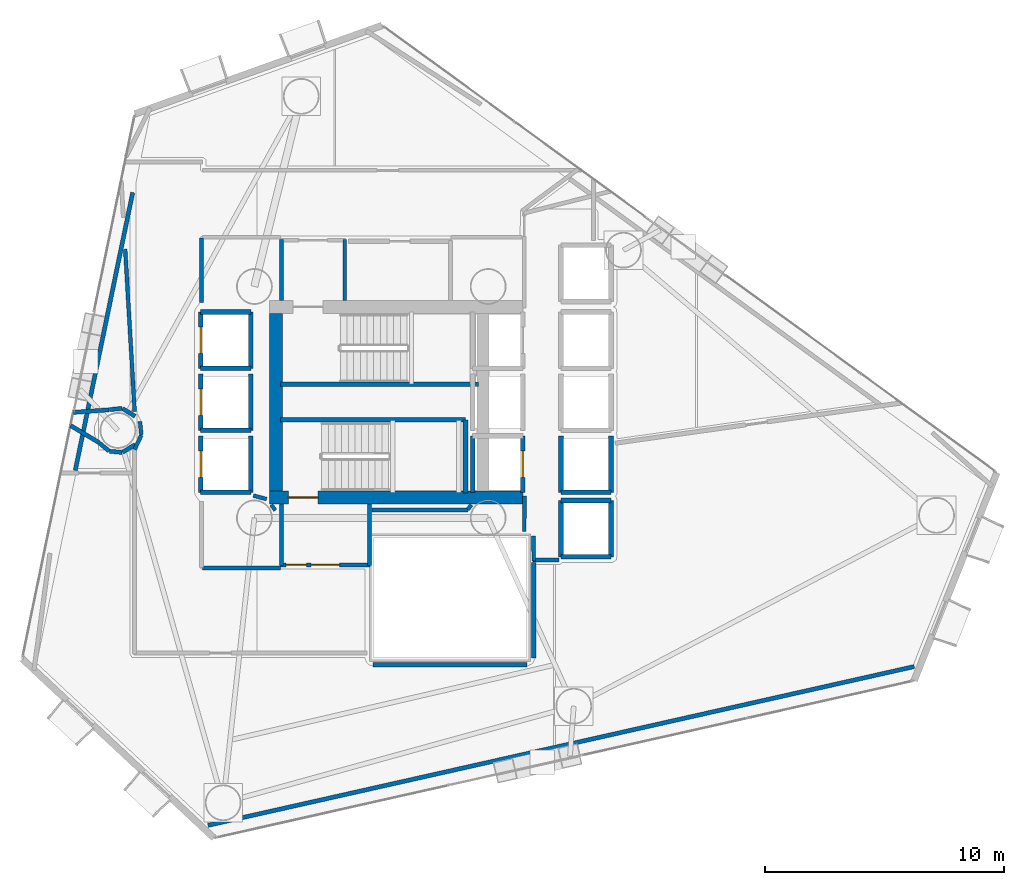
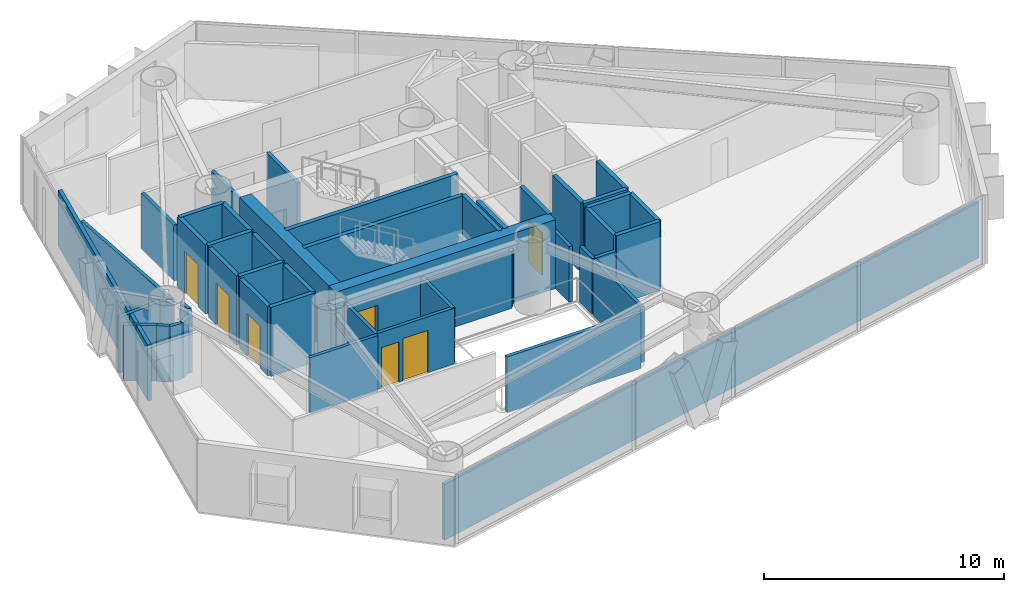
# One storey, part 13 of 18: 52 walls, 7 doors, 7 openings.
"""IFC4 building model written with IfcOpenShell, lengths in metres."""

from ifc_helpers import new_model, si_unit, direction, frame, frame_2d, origin, place, context, subcontext, project, spatial, rectangle, extrude, material, layer, layer_set, type_object, element, fill, save


model = new_model("IFC4")

# Units and contexts
model_context = context("Model", 3, precision=1e-05, world=origin(), true_north=direction((0.0, 1.0)))
body_context = subcontext(model_context, "Body", "Model", "MODEL_VIEW")
ifc_project = project(units=[si_unit("LENGTHUNIT", "METRE"), si_unit("AREAUNIT", "SQUARE_METRE"), si_unit("VOLUMEUNIT", "CUBIC_METRE"), si_unit("PLANEANGLEUNIT", "RADIAN"), si_unit("MASSUNIT", "GRAM", prefix="KILO")], contexts=[model_context])

# Site, building, storey
site_placement = place(None, origin())
site = spatial("IfcSite", under=ifc_project, at=site_placement, CompositionType="ELEMENT")
building_placement = place(site_placement, origin())
building = spatial("IfcBuilding", under=site, at=building_placement, Name="Qianvela Tower", CompositionType="ELEMENT")
storey_placement = place(building_placement, frame((0.0, 0.0, 97.800048828125)))
storey = spatial("IfcBuildingStorey", under=building, at=storey_placement, Name="L24", CompositionType="ELEMENT", Elevation=97.800048828125)

# Wall, opening, door
ifc_material_1 = material(Name="Concrete C60", Category="concrete")
ifc_layer_1 = layer(ifc_material_1, 0.550048828125)
ifc_layer_set_1 = layer_set([ifc_layer_1], Name="Concrete C60")
wall_type_1 = type_object("IfcWallType", Name="WT-CORE-550", PredefinedType="SHEAR", material=ifc_layer_set_1)
wall_1_placement = place(storey_placement, frame((29.22998046875, 24.705078125, 0.0), z_axis=(0.0, 0.0, 1.0), x_axis=(1.0, 0.0, 0.0)))
wall_1 = element("IfcWall", 1, at=wall_1_placement, inside=storey, type_object=wall_type_1, Name="L24 South Core Shear Wall", PredefinedType="SHEAR", context=body_context, shape_type="SweptSolid", body=[
    extrude(rectangle(XDim=10.6201171875, YDim=0.550048828125, at=frame_2d((5.31005859375, 0.0))), origin(), (0.0, 0.0, 1.0), 3.52001953125),
])
opening_1_placement = place(wall_1_placement, frame((0.794921875, 0.0, 0.0)))
opening_1 = element("IfcOpeningElement", 2, at=opening_1_placement, cuts=wall_1, Name="Opening D-ST1", PredefinedType="OPENING", context=body_context, shape_type="SweptSolid", body=[
    extrude(rectangle(XDim=1.25, YDim=2.14990234375, at=frame_2d((0.625, 1.074951171875))), frame((0.0, 0.284912109375, 0.0), z_axis=(0.0, -1.0, 0.0), x_axis=(1.0, 0.0, 0.0)), (0.0, 0.0, 1.0), 0.570068359375),
])
ifc_material_2 = material(Name="Galvanised Fire Steel Q355B", Category="steel")
door_type_1 = type_object("IfcDoorType", Name="DT-STAIR-FD90", OperationType="NOTDEFINED", PredefinedType="DOOR", material=ifc_material_2)
door_1_placement = place(opening_1_placement, origin())
door_1 = element("IfcDoor", 3, at=door_1_placement, inside=storey, type_object=door_type_1, Name="L24 Stair ST-2 Exit Door", OperationType="SINGLE_SWING_RIGHT", OverallHeight=2.14990234375, OverallWidth=1.25, PredefinedType="DOOR", context=body_context, shape_type="SweptSolid", body=[
    extrude(rectangle(XDim=1.25, YDim=2.14990234375, at=frame_2d((0.625, 1.074951171875))), frame((0.0, 0.02490234375, 0.0), z_axis=(0.0, -1.0, 0.0), x_axis=(1.0, 0.0, 0.0)), (0.0, 0.0, 1.0), 0.050048828125),
])
fill(opening_1, door_1)

# Walls
wall_2_placement = place(storey_placement, frame((29.5048828125, 24.97998046875, 0.0), z_axis=(0.0, 0.0, 1.0), x_axis=(0.0, 1.0, 0.0)))
element("IfcWall", 4, at=wall_2_placement, inside=storey, type_object=wall_type_1, Name="L24 West Core Shear Wall", PredefinedType="SHEAR", context=body_context, shape_type="SweptSolid", body=[
    extrude(rectangle(XDim=7.43994140625, YDim=0.550048828125, at=frame_2d((3.719970703125, 0.0))), origin(), (0.0, 0.0, 1.0), 3.52001953125),
])
ifc_material_3 = material(Name="Fire-Rated Gypsum and Concrete Block", Category="concrete")
ifc_layer_2 = layer(ifc_material_3, 0.159912109375)
ifc_layer_set_2 = layer_set([ifc_layer_2], Name="Fire-Rated Gypsum and Concrete Block")
wall_type_2 = type_object("IfcWallType", Name="WT-CORR-160", PredefinedType="PARTITIONING", material=ifc_layer_set_2)
for number, where, z_axis, x_axis, name in (
    (5, (29.73095703125, 32.9580078125, 0.0), (0.0, 0.0, 1.0), (0.0, 1.0, 0.0), "L24 Partition 2"),
    (6, (32.388916015625, 35.52001953125, 0.0), (0.0, 0.0, 1.0), (0.0, -1.0, 0.0), "L24 Partition 4"),
):
    element("IfcWall", number, at=place(storey_placement, frame(where, z_axis=z_axis, x_axis=x_axis)), inside=storey, type_object=wall_type_2, Name=name, PredefinedType="PARTITIONING", context=body_context, shape_type="SweptSolid", body=[
        extrude(rectangle(XDim=2.56201171875, YDim=0.159912109375, at=frame_2d((1.281005859375, 0.0))), origin(), (0.0, 0.0, 1.0), 2.83984375),
    ])

# Wall, openings, doors
wall_3_placement = place(storey_placement, frame((33.449951171875, 21.881103515625, 0.0), z_axis=(0.0, 0.0, 1.0), x_axis=(-1.0, 0.0, 0.0)))
wall_3 = element("IfcWall", 7, at=wall_3_placement, inside=storey, type_object=wall_type_2, Name="L24 Partition 5", PredefinedType="PARTITIONING", context=body_context, shape_type="SweptSolid", body=[
    extrude(rectangle(XDim=3.75, YDim=0.159912109375, at=frame_2d((1.875, 0.0))), origin(), (0.0, 0.0, 1.0), 2.83984375),
])
opening_2_placement = place(wall_3_placement, frame((1.27490234375, 0.0, 0.0)))
opening_2 = element("IfcOpeningElement", 8, at=opening_2_placement, cuts=wall_3, Name="Opening D-LB1", PredefinedType="OPENING", context=body_context, shape_type="SweptSolid", body=[
    extrude(rectangle(XDim=1.199951171875, YDim=2.14990234375, at=frame_2d((0.60009765625, 1.074951171875))), frame((0.0, 0.08984375, 0.0), z_axis=(0.0, -1.0, 0.0), x_axis=(1.0, 0.0, 0.0)), (0.0, 0.0, 1.0), 0.179931640625),
])
opening_3_placement = place(wall_3_placement, frame((2.659912109375, 0.0, 0.0)))
opening_3 = element("IfcOpeningElement", 9, at=opening_3_placement, cuts=wall_3, Name="Opening D-LB2", PredefinedType="OPENING", context=body_context, shape_type="SweptSolid", body=[
    extrude(rectangle(XDim=0.860107421875, YDim=2.050048828125, at=frame_2d((0.43017578125, 1.02490234375))), frame((0.0, 0.08984375, 0.0), z_axis=(0.0, -1.0, 0.0), x_axis=(1.0, 0.0, 0.0)), (0.0, 0.0, 1.0), 0.179931640625),
])
ifc_material_4 = material(Name="Glazed Fire-Rated Steel Frame", Category="steel")
door_type_2 = type_object("IfcDoorType", Name="DT-LOBBY-FD90", OperationType="NOTDEFINED", PredefinedType="DOOR", material=ifc_material_4)
door_2_placement = place(opening_2_placement, origin())
door_2 = element("IfcDoor", 10, at=door_2_placement, inside=storey, type_object=door_type_2, Name="L24 Door L24 Firefighting Lobby South to L24 Floor Corridor", OperationType="SINGLE_SWING_LEFT", OverallHeight=2.14990234375, OverallWidth=1.199951171875, PredefinedType="DOOR", context=body_context, shape_type="SweptSolid", body=[
    extrude(rectangle(XDim=1.199951171875, YDim=2.14990234375, at=frame_2d((0.60009765625, 1.074951171875))), frame((0.0, 0.02490234375, 0.0), z_axis=(0.0, -1.0, 0.0), x_axis=(1.0, 0.0, 0.0)), (0.0, 0.0, 1.0), 0.050048828125),
])
fill(opening_2, door_2)
ifc_material_5 = material(Name="Insulated Steel Fire Door Q355B", Category="steel")
door_type_3 = type_object("IfcDoorType", Name="DT-LOBBY-FD90-860", OperationType="NOTDEFINED", PredefinedType="DOOR", material=ifc_material_5)
door_3_placement = place(opening_3_placement, origin())
door_3 = element("IfcDoor", 11, at=door_3_placement, inside=storey, type_object=door_type_3, Name="L24 Door L24 Firefighting Lobby South to L24 Floor Corridor", OperationType="SINGLE_SWING_LEFT", OverallHeight=2.050048828125, OverallWidth=0.860107421875, PredefinedType="DOOR", context=body_context, shape_type="SweptSolid", body=[
    extrude(rectangle(XDim=0.860107421875, YDim=2.050048828125, at=frame_2d((0.43017578125, 1.02490234375))), frame((0.0, 0.02490234375, 0.0), z_axis=(0.0, -1.0, 0.0), x_axis=(1.0, 0.0, 0.0)), (0.0, 0.0, 1.0), 0.050048828125),
])
fill(opening_3, door_3)

# Walls
for number, where, z_axis, x_axis, name in (
    (12, (29.73095703125, 21.85009765625, 0.0), (0.0, 0.0, 1.0), (0.0, 1.0, 0.0), "L24 Partition 6"),
    (13, (33.4189453125, 24.44189453125, 0.0), (0.0, 0.0, 1.0), (0.0, -1.0, 0.0), "L24 Partition 8"),
):
    element("IfcWall", number, at=place(storey_placement, frame(where, z_axis=z_axis, x_axis=x_axis)), inside=storey, type_object=wall_type_2, Name=name, PredefinedType="PARTITIONING", context=body_context, shape_type="SweptSolid", body=[
        extrude(rectangle(XDim=2.591796875, YDim=0.159912109375, at=frame_2d((1.2958984375, 0.0))), origin(), (0.0, 0.0, 1.0), 2.83984375),
    ])
wall_4_placement = place(storey_placement, frame((41.360107421875, 22.0810546875, 0.0), z_axis=(0.0, 0.0, 1.0), x_axis=(-1.0, 0.0, 0.0)))
element("IfcWall", 14, at=wall_4_placement, inside=storey, type_object=wall_type_2, Name="L24 Partition 15", PredefinedType="PARTITIONING", context=body_context, shape_type="SweptSolid", body=[
    extrude(rectangle(XDim=1.080078125, YDim=0.159912109375, at=frame_2d((0.5400390625, 0.0))), origin(), (0.0, 0.0, 1.0), 2.83984375),
])
wall_5_placement = place(storey_placement, frame((40.31103515625, 22.05029296875, 0.0), z_axis=(0.0, 0.0, 1.0), x_axis=(-0.011836292006, 0.999929948642, 0.0)))
element("IfcWall", 15, at=wall_5_placement, inside=storey, type_object=wall_type_2, Name="L24 Partition 16", PredefinedType="PARTITIONING", context=body_context, shape_type="SweptSolid", body=[
    extrude(rectangle(XDim=1.03125, YDim=0.159912109375, at=frame_2d((0.515625, 0.0))), origin(), (0.0, 0.0, 1.0), 2.83984375),
])
wall_6_placement = place(storey_placement, frame((39.910888671875, 23.27978515625, 0.0), z_axis=(0.0, 0.0, 1.0), x_axis=(0.009397771291, 0.999955839972, 0.0)))
element("IfcWall", 16, at=wall_6_placement, inside=storey, type_object=wall_type_2, Name="L24 Partition 17", PredefinedType="PARTITIONING", context=body_context, shape_type="SweptSolid", body=[
    extrude(rectangle(XDim=1.480712890625, YDim=0.159912109375, at=frame_2d((0.740234375, 0.0))), origin(), (0.0, 0.0, 1.0), 2.83984375),
])
wall_7_placement = place(storey_placement, frame((29.47998046875, 24.1689453125, 0.0), z_axis=(0.0, 0.0, 1.0), x_axis=(-0.607608252226, 0.794236873878, 0.0)))
element("IfcWall", 17, at=wall_7_placement, inside=storey, type_object=wall_type_2, Name="L24 Partition 26", PredefinedType="PARTITIONING", context=body_context, shape_type="SweptSolid", body=[
    extrude(rectangle(XDim=0.286376953125, YDim=0.159912109375, at=frame_2d((0.14306640625, 0.0))), origin(), (0.0, 0.0, 1.0), 2.83984375),
])
wall_8_placement = place(storey_placement, frame((29.113525390625, 24.63671875, 0.0), z_axis=(0.0, 0.0, 1.0), x_axis=(-0.966199685486, 0.257794817183, 0.0)))
element("IfcWall", 18, at=wall_8_placement, inside=storey, type_object=wall_type_2, Name="L24 Partition 27", PredefinedType="PARTITIONING", context=body_context, shape_type="SweptSolid", body=[
    extrude(rectangle(XDim=0.574951171875, YDim=0.159912109375, at=frame_2d((0.28759765625, 0.0))), origin(), (0.0, 0.0, 1.0), 2.83984375),
])
wall_9_placement = place(storey_placement, frame((37.694091796875, 24.396484375, 0.0), z_axis=(0.0, 0.0, 1.0), x_axis=(-0.607118658061, -0.794611184815, 0.0)))
element("IfcWall", 19, at=wall_9_placement, inside=storey, type_object=wall_type_2, Name="L24 Partition 34", PredefinedType="PARTITIONING", context=body_context, shape_type="SweptSolid", body=[
    extrude(rectangle(XDim=0.24609375, YDim=0.159912109375, at=frame_2d((0.123046875, 0.0))), origin(), (0.0, 0.0, 1.0), 2.83984375),
])
wall_10_placement = place(storey_placement, frame((37.544677734375, 24.180908203125, 0.0), z_axis=(0.0, 0.0, 1.0), x_axis=(-1.0, 0.0, 0.0)))
element("IfcWall", 20, at=wall_10_placement, inside=storey, type_object=wall_type_2, Name="L24 Partition 35", PredefinedType="PARTITIONING", context=body_context, shape_type="SweptSolid", body=[
    extrude(rectangle(XDim=4.0146484375, YDim=0.159912109375, at=frame_2d((2.00732421875, 0.0))), origin(), (0.0, 0.0, 1.0), 2.83984375),
])
wall_11_placement = place(storey_placement, frame((23.5810546875, 28.306640625, 0.0), z_axis=(0.0, 0.0, 1.0), x_axis=(-0.058052312108, 0.99831354246, 0.0)))
element("IfcWall", 21, at=wall_11_placement, inside=storey, type_object=wall_type_2, Name="L24 Partition 36", PredefinedType="PARTITIONING", context=body_context, shape_type="SweptSolid", body=[
    extrude(rectangle(XDim=6.817138671875, YDim=0.159912109375, at=frame_2d((3.40869140625, 0.0))), origin(), (0.0, 0.0, 1.0), 2.83984375),
])
wall_12_placement = place(storey_placement, frame((26.388916015625, 35.580078125, 0.0), z_axis=(0.0, 0.0, 1.0), x_axis=(0.0, -1.0, 0.0)))
element("IfcWall", 22, at=wall_12_placement, inside=storey, type_object=wall_type_2, Name="L24 Partition 43", PredefinedType="PARTITIONING", context=body_context, shape_type="SweptSolid", body=[
    extrude(rectangle(XDim=2.71044921875, YDim=0.159912109375, at=frame_2d((1.355224609375, 0.0))), origin(), (0.0, 0.0, 1.0), 2.83984375),
])
wall_13_placement = place(storey_placement, frame((26.419921875, 21.7490234375, 0.0), z_axis=(0.0, 0.0, 1.0), x_axis=(1.0, 0.0, 0.0)))
element("IfcWall", 23, at=wall_13_placement, inside=storey, type_object=wall_type_2, Name="L24 Partition 46 seg 1", PredefinedType="PARTITIONING", context=body_context, shape_type="SweptSolid", body=[
    extrude(rectangle(XDim=3.280029296875, YDim=0.159912109375, at=frame_2d((1.64013671875, 0.0))), origin(), (0.0, 0.0, 1.0), 2.83984375),
])
wall_14_placement = place(storey_placement, frame((23.578125, 26.71240234375, 0.0), z_axis=(0.0, 0.0, 1.0), x_axis=(0.421251946418, 0.906943657367, 0.0)))
element("IfcWall", 24, at=wall_14_placement, inside=storey, type_object=wall_type_2, Name="L24 Partition 49", PredefinedType="PARTITIONING", context=body_context, shape_type="SweptSolid", body=[
    extrude(rectangle(XDim=0.6630859375, YDim=0.159912109375, at=frame_2d((0.33154296875, 0.0))), origin(), (0.0, 0.0, 1.0), 2.83984375),
])
wall_15_placement = place(storey_placement, frame((23.860107421875, 27.329833984375, 0.0), z_axis=(0.0, 0.0, 1.0), x_axis=(-0.098000919071, 0.995186324193, 0.0)))
element("IfcWall", 25, at=wall_15_placement, inside=storey, type_object=wall_type_2, Name="L24 Partition 50", PredefinedType="PARTITIONING", context=body_context, shape_type="SweptSolid", body=[
    extrude(rectangle(XDim=0.56298828125, YDim=0.159912109375, at=frame_2d((0.281494140625, 0.0))), origin(), (0.0, 0.0, 1.0), 2.83984375),
])
ifc_material_6 = material(Name="Moisture-Resistant Acoustic Plumbing Wall")
ifc_layer_3 = layer(ifc_material_6, 0.175048828125)
ifc_layer_set_3 = layer_set([ifc_layer_3], Name="Moisture-Resistant Acoustic Plumbing Wall")
wall_type_3 = type_object("IfcWallType", Name="WT-PLUMB-175", PredefinedType="PLUMBINGWALL", material=ifc_layer_set_3)
wall_16_placement = place(storey_placement, frame((56.26025390625, 17.617919921875, 0.0), z_axis=(0.0, 0.0, 1.0), x_axis=(-0.975638606927, -0.219383929845, 0.0)))
element("IfcWall", 26, at=wall_16_placement, inside=storey, type_object=wall_type_3, Name="L24 Partition 53", PredefinedType="PLUMBINGWALL", context=body_context, shape_type="SweptSolid", body=[
    extrude(rectangle(XDim=30.34619140625, YDim=0.175048828125, at=frame_2d((15.173095703125, 0.0))), origin(), (0.0, 0.0, 1.0), 2.83984375),
])
wall_17_placement = place(storey_placement, frame((33.572509765625, 17.690185546875, 0.0), z_axis=(0.0, 0.0, 1.0), x_axis=(1.0, 0.0, 0.0)))
element("IfcWall", 27, at=wall_17_placement, inside=storey, type_object=wall_type_3, Name="L24 Partition 59", PredefinedType="PLUMBINGWALL", context=body_context, shape_type="SweptSolid", body=[
    extrude(rectangle(XDim=6.454833984375, YDim=0.175048828125, at=frame_2d((3.2275390625, 0.0))), origin(), (0.0, 0.0, 1.0), 2.83984375),
])
wall_18_placement = place(storey_placement, frame((40.309814453125, 17.972412109375, 0.0), z_axis=(0.0, 0.0, 1.0), x_axis=(0.000305362145, 0.999999953377, 0.0)))
element("IfcWall", 28, at=wall_18_placement, inside=storey, type_object=wall_type_3, Name="L24 Partition 60 seg 1", PredefinedType="PLUMBINGWALL", context=body_context, shape_type="SweptSolid", body=[
    extrude(rectangle(XDim=3.99755859375, YDim=0.175048828125, at=frame_2d((1.998779296875, 0.0))), origin(), (0.0, 0.0, 1.0), 2.83984375),
])
wall_19_placement = place(storey_placement, frame((21.0927734375, 25.842041015625, 0.0), z_axis=(0.0, 0.0, 1.0), x_axis=(0.202456257847, 0.979291306843, 0.0)))
element("IfcWall", 29, at=wall_19_placement, inside=storey, type_object=wall_type_3, Name="L24 Partition 73", PredefinedType="PLUMBINGWALL", context=body_context, shape_type="SweptSolid", body=[
    extrude(rectangle(XDim=11.892578125, YDim=0.175048828125, at=frame_2d((5.9462890625, 0.0))), origin(), (0.0, 0.0, 1.0), 2.83984375),
])
wall_20_placement = place(storey_placement, frame((23.600341796875, 28.109619140625, 0.0), z_axis=(0.0, 0.0, 1.0), x_axis=(-0.851712341449, 0.524009625316, 0.0)))
element("IfcWall", 30, at=wall_20_placement, inside=storey, type_object=wall_type_3, Name="L24 Partition 75", PredefinedType="PLUMBINGWALL", context=body_context, shape_type="SweptSolid", body=[
    extrude(rectangle(XDim=0.62060546875, YDim=0.175048828125, at=frame_2d((0.310302734375, 0.0))), origin(), (0.0, 0.0, 1.0), 2.83984375),
])
wall_21_placement = place(storey_placement, frame((23.052490234375, 28.439453125, 0.0), z_axis=(0.0, 0.0, 1.0), x_axis=(-0.995191506225, -0.09794828195, 0.0)))
element("IfcWall", 31, at=wall_21_placement, inside=storey, type_object=wall_type_3, Name="L24 Partition 76", PredefinedType="PLUMBINGWALL", context=body_context, shape_type="SweptSolid", body=[
    extrude(rectangle(XDim=0.5283203125, YDim=0.175048828125, at=frame_2d((0.26416015625, 0.0))), origin(), (0.0, 0.0, 1.0), 2.83984375),
])
wall_22_placement = place(storey_placement, frame((22.510009765625, 28.380615234375, 0.0), z_axis=(0.0, 0.0, 1.0), x_axis=(-0.997386657244, -0.072248570591, 0.0)))
element("IfcWall", 32, at=wall_22_placement, inside=storey, type_object=wall_type_3, Name="L24 Partition 77 seg 1", PredefinedType="PLUMBINGWALL", context=body_context, shape_type="SweptSolid", body=[
    extrude(rectangle(XDim=1.507080078125, YDim=0.175048828125, at=frame_2d((0.75341796875, 0.0))), origin(), (0.0, 0.0, 1.0), 2.83984375),
])
wall_23_placement = place(storey_placement, frame((20.893310546875, 27.722900390625, 0.0), z_axis=(0.0, 0.0, 1.0), x_axis=(0.856752867716, -0.515727179487, 0.0)))
element("IfcWall", 33, at=wall_23_placement, inside=storey, type_object=wall_type_3, Name="L24 Partition 79", PredefinedType="PLUMBINGWALL", context=body_context, shape_type="SweptSolid", body=[
    extrude(rectangle(XDim=1.39892578125, YDim=0.175048828125, at=frame_2d((0.699462890625, 0.0))), origin(), (0.0, 0.0, 1.0), 2.83984375),
])
wall_24_placement = place(storey_placement, frame((22.101806640625, 26.986572265625, 0.0), z_axis=(0.0, 0.0, 1.0), x_axis=(0.772823405661, -0.634621133955, 0.0)))
element("IfcWall", 34, at=wall_24_placement, inside=storey, type_object=wall_type_3, Name="L24 Partition 80 seg 1", PredefinedType="PLUMBINGWALL", context=body_context, shape_type="SweptSolid", body=[
    extrude(rectangle(XDim=0.528076171875, YDim=0.175048828125, at=frame_2d((0.26416015625, 0.0))), origin(), (0.0, 0.0, 1.0), 2.83984375),
])
wall_25_placement = place(storey_placement, frame((22.526611328125, 26.644287109375, 0.0), z_axis=(0.0, 0.0, 1.0), x_axis=(0.995191506225, -0.09794828195, 0.0)))
element("IfcWall", 35, at=wall_25_placement, inside=storey, type_object=wall_type_3, Name="L24 Partition 81", PredefinedType="PLUMBINGWALL", context=body_context, shape_type="SweptSolid", body=[
    extrude(rectangle(XDim=0.5283203125, YDim=0.175048828125, at=frame_2d((0.26416015625, 0.0))), origin(), (0.0, 0.0, 1.0), 2.83984375),
])
wall_26_placement = place(storey_placement, frame((23.07177734375, 26.59716796875, 0.0), z_axis=(0.0, 0.0, 1.0), x_axis=(0.851536753009, 0.524294915363, 0.0)))
element("IfcWall", 36, at=wall_26_placement, inside=storey, type_object=wall_type_3, Name="L24 Partition 82", PredefinedType="PLUMBINGWALL", context=body_context, shape_type="SweptSolid", body=[
    extrude(rectangle(XDim=0.62060546875, YDim=0.175048828125, at=frame_2d((0.310302734375, 0.0))), origin(), (0.0, 0.0, 1.0), 2.83984375),
])
ifc_material_7 = material(Name="Concrete C50", Category="concrete")
ifc_layer_4 = layer(ifc_material_7, 0.199951171875)
ifc_layer_set_4 = layer_set([ifc_layer_4], Name="Concrete C50")
wall_type_4 = type_object("IfcWallType", Name="WT-SHAFT-200", PredefinedType="SOLIDWALL", material=ifc_layer_set_4)
wall_27_placement = place(storey_placement, frame((29.699951171875, 29.449951171875, 0.0), z_axis=(0.0, 0.0, 1.0), x_axis=(1.0, 0.0, 0.0)))
element("IfcWall", 37, at=wall_27_placement, inside=storey, type_object=wall_type_4, Name="L24 Stair ST-1 South Wall", PredefinedType="SOLIDWALL", context=body_context, shape_type="SweptSolid", body=[
    extrude(rectangle(XDim=8.300048828125, YDim=0.199951171875, at=frame_2d((4.14990234375, 0.0))), origin(), (0.0, 0.0, 1.0), 3.52001953125),
])
wall_28_placement = place(storey_placement, frame((29.699951171875, 27.9599609375, 0.0), z_axis=(0.0, 0.0, 1.0), x_axis=(1.0, 0.0, 0.0)))
element("IfcWall", 38, at=wall_28_placement, inside=storey, type_object=wall_type_4, Name="L24 Stair ST-2 North Wall", PredefinedType="SOLIDWALL", context=body_context, shape_type="SweptSolid", body=[
    extrude(rectangle(XDim=7.75, YDim=0.199951171875, at=frame_2d((3.875, 0.0))), origin(), (0.0, 0.0, 1.0), 3.52001953125),
])
wall_29_placement = place(storey_placement, frame((37.449951171875, 24.89990234375, 0.0), z_axis=(0.0, 0.0, 1.0), x_axis=(0.0, 1.0, 0.0)))
element("IfcWall", 39, at=wall_29_placement, inside=storey, type_object=wall_type_4, Name="L24 Stair ST-2 East Wall", PredefinedType="SOLIDWALL", context=body_context, shape_type="SweptSolid", body=[
    extrude(rectangle(XDim=3.06005859375, YDim=0.199951171875, at=frame_2d((1.530029296875, 0.0))), origin(), (0.0, 0.0, 1.0), 3.52001953125),
])

# Wall, opening, door
wall_30_placement = place(storey_placement, frame((39.85009765625, 24.919921875, 0.0), z_axis=(0.0, 0.0, 1.0), x_axis=(0.0, 1.0, 0.0)))
wall_30 = element("IfcWall", 40, at=wall_30_placement, inside=storey, type_object=wall_type_4, Name="L24 Lift FL-2 E Shaft Wall", PredefinedType="SOLIDWALL", context=body_context, shape_type="SweptSolid", body=[
    extrude(rectangle(XDim=2.360107421875, YDim=0.199951171875, at=frame_2d((1.18017578125, 0.0))), origin(), (0.0, 0.0, 1.0), 3.52001953125),
])
opening_4_placement = place(wall_30_placement, frame((0.6298828125, 0.0, 0.0)))
opening_4 = element("IfcOpeningElement", 41, at=opening_4_placement, cuts=wall_30, Name="Opening LD-01", PredefinedType="OPENING", context=body_context, shape_type="SweptSolid", body=[
    extrude(rectangle(XDim=1.10009765625, YDim=2.14990234375, at=frame_2d((0.550048828125, 1.074951171875))), frame((0.0, 0.10986328125, 0.0), z_axis=(0.0, -1.0, 0.0), x_axis=(1.0, 0.0, 0.0)), (0.0, 0.0, 1.0), 0.219970703125),
])
ifc_material_8 = material(Name="Brushed Stainless Steel Lift Landing Door", Category="steel")
door_type_4 = type_object("IfcDoorType", Name="DT-LIFT-SLIDE-1100", OperationType="SLIDING_TO_LEFT", PredefinedType="DOOR", material=ifc_material_8)
door_4_placement = place(opening_4_placement, origin())
door_4 = element("IfcDoor", 42, at=door_4_placement, inside=storey, type_object=door_type_4, Name="L24 Lift FL-2 Sliding Landing Door", OperationType="SLIDING_TO_LEFT", OverallHeight=2.14990234375, OverallWidth=1.10009765625, PredefinedType="DOOR", context=body_context, shape_type="SweptSolid", body=[
    extrude(rectangle(XDim=1.10009765625, YDim=2.14990234375, at=frame_2d((0.550048828125, 1.074951171875))), frame((0.0, 0.02490234375, 0.0), z_axis=(0.0, -1.0, 0.0), x_axis=(1.0, 0.0, 0.0)), (0.0, 0.0, 1.0), 0.050048828125),
])
fill(opening_4, door_4)

# Walls
wall_31_placement = place(storey_placement, frame((37.75, 24.919921875, 0.0), z_axis=(0.0, 0.0, 1.0), x_axis=(0.0, 1.0, 0.0)))
element("IfcWall", 43, at=wall_31_placement, inside=storey, type_object=wall_type_4, Name="L24 Lift FL-2 W Shaft Wall", PredefinedType="SOLIDWALL", context=body_context, shape_type="SweptSolid", body=[
    extrude(rectangle(XDim=2.360107421875, YDim=0.199951171875, at=frame_2d((1.18017578125, 0.0))), origin(), (0.0, 0.0, 1.0), 3.52001953125),
])
wall_32_placement = place(storey_placement, frame((28.449951171875, 30.1201171875, 0.0), z_axis=(0.0, 0.0, 1.0), x_axis=(0.0, 1.0, 0.0)))
element("IfcWall", 44, at=wall_32_placement, inside=storey, type_object=wall_type_4, Name="L24 Lift PL-L1 E Shaft Wall", PredefinedType="SOLIDWALL", context=body_context, shape_type="SweptSolid", body=[
    extrude(rectangle(XDim=2.35986328125, YDim=0.199951171875, at=frame_2d((1.179931640625, 0.0))), origin(), (0.0, 0.0, 1.0), 3.52001953125),
])

# Wall, opening, door
wall_33_placement = place(storey_placement, frame((26.35009765625, 30.1201171875, 0.0), z_axis=(0.0, 0.0, 1.0), x_axis=(0.0, 1.0, 0.0)))
wall_33 = element("IfcWall", 45, at=wall_33_placement, inside=storey, type_object=wall_type_4, Name="L24 Lift PL-L1 W Shaft Wall", PredefinedType="SOLIDWALL", context=body_context, shape_type="SweptSolid", body=[
    extrude(rectangle(XDim=2.35986328125, YDim=0.199951171875, at=frame_2d((1.179931640625, 0.0))), origin(), (0.0, 0.0, 1.0), 3.52001953125),
])
opening_5_placement = place(wall_33_placement, frame((0.6298828125, 0.0, 0.0)))
opening_5 = element("IfcOpeningElement", 46, at=opening_5_placement, cuts=wall_33, Name="Opening LD-01", PredefinedType="OPENING", context=body_context, shape_type="SweptSolid", body=[
    extrude(rectangle(XDim=1.10009765625, YDim=2.14990234375, at=frame_2d((0.550048828125, 1.074951171875))), frame((0.0, 0.10986328125, 0.0), z_axis=(0.0, -1.0, 0.0), x_axis=(1.0, 0.0, 0.0)), (0.0, 0.0, 1.0), 0.219970703125),
])
door_5_placement = place(opening_5_placement, origin())
door_5 = element("IfcDoor", 47, at=door_5_placement, inside=storey, type_object=door_type_4, Name="L24 Lift PL-L1 Sliding Landing Door", OperationType="SLIDING_TO_LEFT", OverallHeight=2.14990234375, OverallWidth=1.10009765625, PredefinedType="DOOR", context=body_context, shape_type="SweptSolid", body=[
    extrude(rectangle(XDim=1.10009765625, YDim=2.14990234375, at=frame_2d((0.550048828125, 1.074951171875))), frame((0.0, 0.02490234375, 0.0), z_axis=(0.0, -1.0, 0.0), x_axis=(1.0, 0.0, 0.0)), (0.0, 0.0, 1.0), 0.050048828125),
])
fill(opening_5, door_5)

# Walls
for number, where, z_axis, x_axis, name in (
    (48, (26.35009765625, 32.47998046875, 0.0), (0.0, 0.0, 1.0), (1.0, 0.0, 0.0), "L24 Lift PL-L1 N Shaft Wall"),
    (49, (26.35009765625, 30.1201171875, 0.0), (0.0, 0.0, 1.0), (1.0, 0.0, 0.0), "L24 Lift PL-L1 S Shaft Wall"),
):
    element("IfcWall", number, at=place(storey_placement, frame(where, z_axis=z_axis, x_axis=x_axis)), inside=storey, type_object=wall_type_4, Name=name, PredefinedType="SOLIDWALL", context=body_context, shape_type="SweptSolid", body=[
        extrude(rectangle(XDim=2.099853515625, YDim=0.199951171875, at=frame_2d((1.0498046875, 0.0))), origin(), (0.0, 0.0, 1.0), 3.52001953125),
    ])
wall_34_placement = place(storey_placement, frame((28.449951171875, 27.52001953125, 0.0), z_axis=(0.0, 0.0, 1.0), x_axis=(0.0, 1.0, 0.0)))
element("IfcWall", 50, at=wall_34_placement, inside=storey, type_object=wall_type_4, Name="L24 Lift PL-L2 E Shaft Wall", PredefinedType="SOLIDWALL", context=body_context, shape_type="SweptSolid", body=[
    extrude(rectangle(XDim=2.35986328125, YDim=0.199951171875, at=frame_2d((1.179931640625, 0.0))), origin(), (0.0, 0.0, 1.0), 3.52001953125),
])

# Wall, opening, door
wall_35_placement = place(storey_placement, frame((26.35009765625, 27.52001953125, 0.0), z_axis=(0.0, 0.0, 1.0), x_axis=(0.0, 1.0, 0.0)))
wall_35 = element("IfcWall", 51, at=wall_35_placement, inside=storey, type_object=wall_type_4, Name="L24 Lift PL-L2 W Shaft Wall", PredefinedType="SOLIDWALL", context=body_context, shape_type="SweptSolid", body=[
    extrude(rectangle(XDim=2.35986328125, YDim=0.199951171875, at=frame_2d((1.179931640625, 0.0))), origin(), (0.0, 0.0, 1.0), 3.52001953125),
])
opening_6_placement = place(wall_35_placement, frame((0.6298828125, 0.0, 0.0)))
opening_6 = element("IfcOpeningElement", 52, at=opening_6_placement, cuts=wall_35, Name="Opening LD-01", PredefinedType="OPENING", context=body_context, shape_type="SweptSolid", body=[
    extrude(rectangle(XDim=1.10009765625, YDim=2.14990234375, at=frame_2d((0.550048828125, 1.074951171875))), frame((0.0, 0.10986328125, 0.0), z_axis=(0.0, -1.0, 0.0), x_axis=(1.0, 0.0, 0.0)), (0.0, 0.0, 1.0), 0.219970703125),
])
door_6_placement = place(opening_6_placement, origin())
door_6 = element("IfcDoor", 53, at=door_6_placement, inside=storey, type_object=door_type_4, Name="L24 Lift PL-L2 Sliding Landing Door", OperationType="SLIDING_TO_LEFT", OverallHeight=2.14990234375, OverallWidth=1.10009765625, PredefinedType="DOOR", context=body_context, shape_type="SweptSolid", body=[
    extrude(rectangle(XDim=1.10009765625, YDim=2.14990234375, at=frame_2d((0.550048828125, 1.074951171875))), frame((0.0, 0.02490234375, 0.0), z_axis=(0.0, -1.0, 0.0), x_axis=(1.0, 0.0, 0.0)), (0.0, 0.0, 1.0), 0.050048828125),
])
fill(opening_6, door_6)

# Walls
wall_36_placement = place(storey_placement, frame((26.35009765625, 27.52001953125, 0.0), z_axis=(0.0, 0.0, 1.0), x_axis=(1.0, 0.0, 0.0)))
element("IfcWall", 54, at=wall_36_placement, inside=storey, type_object=wall_type_4, Name="L24 Lift PL-L2 S Shaft Wall", PredefinedType="SOLIDWALL", context=body_context, shape_type="SweptSolid", body=[
    extrude(rectangle(XDim=2.099853515625, YDim=0.199951171875, at=frame_2d((1.0498046875, 0.0))), origin(), (0.0, 0.0, 1.0), 3.52001953125),
])
wall_37_placement = place(storey_placement, frame((28.449951171875, 24.919921875, 0.0), z_axis=(0.0, 0.0, 1.0), x_axis=(0.0, 1.0, 0.0)))
element("IfcWall", 55, at=wall_37_placement, inside=storey, type_object=wall_type_4, Name="L24 Lift PL-L3 E Shaft Wall", PredefinedType="SOLIDWALL", context=body_context, shape_type="SweptSolid", body=[
    extrude(rectangle(XDim=2.360107421875, YDim=0.199951171875, at=frame_2d((1.18017578125, 0.0))), origin(), (0.0, 0.0, 1.0), 3.52001953125),
])

# Wall, opening, door
wall_38_placement = place(storey_placement, frame((26.35009765625, 24.919921875, 0.0), z_axis=(0.0, 0.0, 1.0), x_axis=(0.0, 1.0, 0.0)))
wall_38 = element("IfcWall", 56, at=wall_38_placement, inside=storey, type_object=wall_type_4, Name="L24 Lift PL-L3 W Shaft Wall", PredefinedType="SOLIDWALL", context=body_context, shape_type="SweptSolid", body=[
    extrude(rectangle(XDim=2.360107421875, YDim=0.199951171875, at=frame_2d((1.18017578125, 0.0))), origin(), (0.0, 0.0, 1.0), 3.52001953125),
])
opening_7_placement = place(wall_38_placement, frame((0.6298828125, 0.0, 0.0)))
opening_7 = element("IfcOpeningElement", 57, at=opening_7_placement, cuts=wall_38, Name="Opening LD-01", PredefinedType="OPENING", context=body_context, shape_type="SweptSolid", body=[
    extrude(rectangle(XDim=1.10009765625, YDim=2.14990234375, at=frame_2d((0.550048828125, 1.074951171875))), frame((0.0, 0.10986328125, 0.0), z_axis=(0.0, -1.0, 0.0), x_axis=(1.0, 0.0, 0.0)), (0.0, 0.0, 1.0), 0.219970703125),
])
door_7_placement = place(opening_7_placement, origin())
door_7 = element("IfcDoor", 58, at=door_7_placement, inside=storey, type_object=door_type_4, Name="L24 Lift PL-L3 Sliding Landing Door", OperationType="SLIDING_TO_LEFT", OverallHeight=2.14990234375, OverallWidth=1.10009765625, PredefinedType="DOOR", context=body_context, shape_type="SweptSolid", body=[
    extrude(rectangle(XDim=1.10009765625, YDim=2.14990234375, at=frame_2d((0.550048828125, 1.074951171875))), frame((0.0, 0.02490234375, 0.0), z_axis=(0.0, -1.0, 0.0), x_axis=(1.0, 0.0, 0.0)), (0.0, 0.0, 1.0), 0.050048828125),
])
fill(opening_7, door_7)

# Walls
wall_39_placement = place(storey_placement, frame((26.35009765625, 24.919921875, 0.0), z_axis=(0.0, 0.0, 1.0), x_axis=(1.0, 0.0, 0.0)))
element("IfcWall", 59, at=wall_39_placement, inside=storey, type_object=wall_type_4, Name="L24 Lift PL-L3 S Shaft Wall", PredefinedType="SOLIDWALL", context=body_context, shape_type="SweptSolid", body=[
    extrude(rectangle(XDim=2.099853515625, YDim=0.199951171875, at=frame_2d((1.0498046875, 0.0))), origin(), (0.0, 0.0, 1.0), 3.52001953125),
])
for number, where, z_axis, x_axis, name in (
    (60, (43.550048828125, 24.919921875, 0.0), (0.0, 0.0, 1.0), (0.0, 1.0, 0.0), "L24 Lift PL-M3 E Shaft Wall"),
    (61, (41.449951171875, 24.919921875, 0.0), (0.0, 0.0, 1.0), (0.0, 1.0, 0.0), "L24 Lift PL-M3 W Shaft Wall"),
):
    element("IfcWall", number, at=place(storey_placement, frame(where, z_axis=z_axis, x_axis=x_axis)), inside=storey, type_object=wall_type_4, Name=name, PredefinedType="SOLIDWALL", context=body_context, shape_type="SweptSolid", body=[
        extrude(rectangle(XDim=2.360107421875, YDim=0.199951171875, at=frame_2d((1.18017578125, 0.0))), origin(), (0.0, 0.0, 1.0), 3.52001953125),
    ])
wall_40_placement = place(storey_placement, frame((41.449951171875, 24.919921875, 0.0), z_axis=(0.0, 0.0, 1.0), x_axis=(1.0, 0.0, 0.0)))
element("IfcWall", 62, at=wall_40_placement, inside=storey, type_object=wall_type_4, Name="L24 Lift PL-M3 S Shaft Wall", PredefinedType="SOLIDWALL", context=body_context, shape_type="SweptSolid", body=[
    extrude(rectangle(XDim=2.10009765625, YDim=0.199951171875, at=frame_2d((1.050048828125, 0.0))), origin(), (0.0, 0.0, 1.0), 3.52001953125),
])
for number, where, z_axis, x_axis, name in (
    (63, (43.550048828125, 22.219970703125, 0.0), (0.0, 0.0, 1.0), (0.0, 1.0, 0.0), "L24 Lift PL-H2 E Shaft Wall"),
    (64, (41.449951171875, 22.219970703125, 0.0), (0.0, 0.0, 1.0), (0.0, 1.0, 0.0), "L24 Lift PL-H2 W Shaft Wall"),
):
    element("IfcWall", number, at=place(storey_placement, frame(where, z_axis=z_axis, x_axis=x_axis)), inside=storey, type_object=wall_type_4, Name=name, PredefinedType="SOLIDWALL", context=body_context, shape_type="SweptSolid", body=[
        extrude(rectangle(XDim=2.360107421875, YDim=0.199951171875, at=frame_2d((1.18017578125, 0.0))), origin(), (0.0, 0.0, 1.0), 3.52001953125),
    ])
for number, where, z_axis, x_axis, name in (
    (65, (41.449951171875, 24.580078125, 0.0), (0.0, 0.0, 1.0), (1.0, 0.0, 0.0), "L24 Lift PL-H2 N Shaft Wall"),
    (66, (41.449951171875, 22.219970703125, 0.0), (0.0, 0.0, 1.0), (1.0, 0.0, 0.0), "L24 Lift PL-H2 S Shaft Wall"),
):
    element("IfcWall", number, at=place(storey_placement, frame(where, z_axis=z_axis, x_axis=x_axis)), inside=storey, type_object=wall_type_4, Name=name, PredefinedType="SOLIDWALL", context=body_context, shape_type="SweptSolid", body=[
        extrude(rectangle(XDim=2.10009765625, YDim=0.199951171875, at=frame_2d((1.050048828125, 0.0))), origin(), (0.0, 0.0, 1.0), 3.52001953125),
    ])

save(model, "model.ifc")
